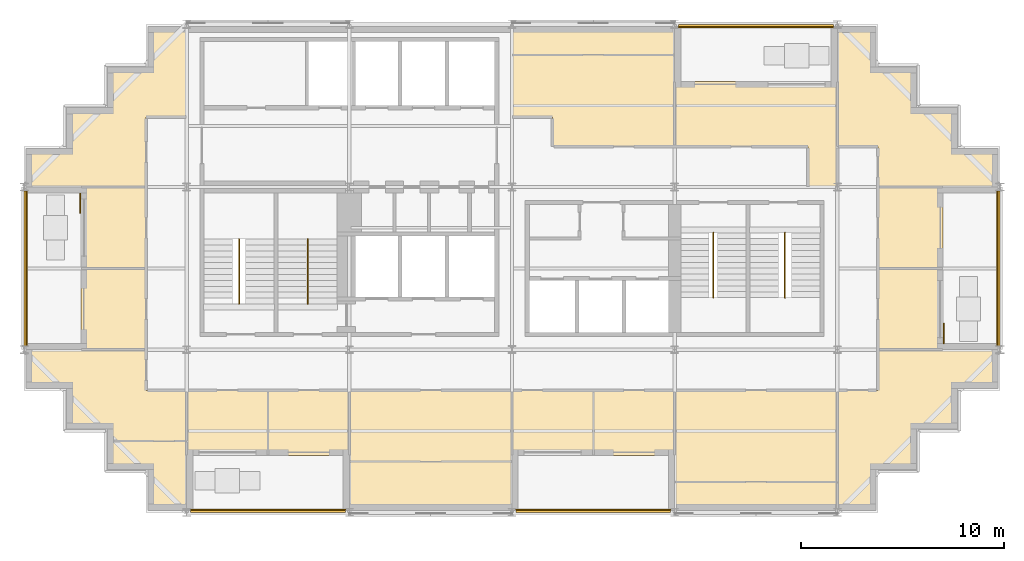
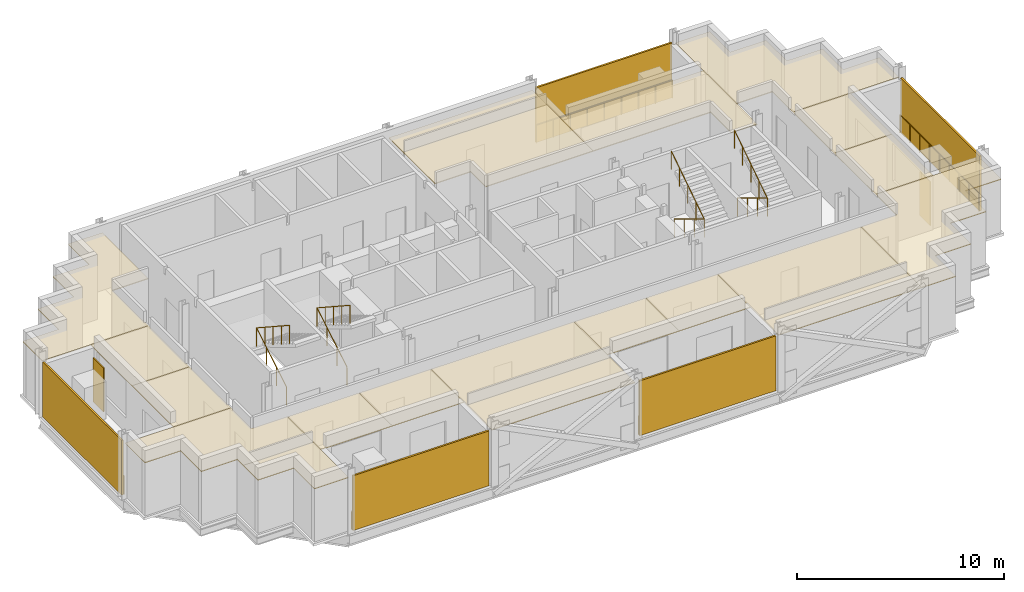
# One storey, part 9 of 10: 20 coverings, 9 railings, 7 shading devices.
"""IFC4 building model written with IfcOpenShell, lengths in metres."""

import ifcopenshell
import ifcopenshell.guid

model = None  # the IFC model being written
_history = None  # IfcOwnerHistory: only IFC2X3 demands one
_inside = {}  # id of a spatial element -> (the spatial element, [elements in it])
_under = {}  # id of a project, library or spatial element -> (it, [spatial elements below it])
_declared = {}  # id of a project -> (the project, [libraries it declares])
_typed = {}  # id of a type object -> (the type object, [elements of that type])
_made_of = {}  # id of a material, layer set ... -> (it, [elements and type objects made of it])


def new_model(schema):
    """Start an empty IFC model of exactly this schema.

    Asked for "IFC4X3", IfcOpenShell would pick the latest addendum, in which some entities
    have other attributes; the version numbers below select the first issue.
    IFC2X3 requires an IfcOwnerHistory on every rooted entity: one is made here for all.
    """
    global model, _history
    if schema == "IFC4X3":
        model = ifcopenshell.file(schema_version=(4, 3, 0, 0))
    else:
        model = ifcopenshell.file(schema=schema)
    _inside.clear()
    _under.clear()
    _declared.clear()
    _typed.clear()
    _made_of.clear()
    _history = None
    if model.schema == "IFC2X3":
        org = make("IfcOrganization", Name="unknown")
        user = make(
            "IfcPersonAndOrganization",
            ThePerson=make("IfcPerson", FamilyName="unknown"),
            TheOrganization=org,
        )
        app = make(
            "IfcApplication",
            ApplicationDeveloper=org,
            Version="unknown",
            ApplicationFullName="unknown",
            ApplicationIdentifier="unknown",
        )
        _history = make(
            "IfcOwnerHistory",
            OwningUser=user,
            OwningApplication=app,
            ChangeAction="ADDED",
            CreationDate=0,
        )
    return model


def make(cls, **values):
    """One entity of the class cls with the attributes given. An attribute that is None is left unset."""
    return model.create_entity(
        cls, **{name: value for name, value in values.items() if value is not None}
    )


def rooted(cls, **values):
    """An entity with a GlobalId (a new one), such as an element, a storey or a relation."""
    return make(cls, GlobalId=ifcopenshell.guid.new(), OwnerHistory=_history, **values)


def si_unit(unit_type, name, prefix=None):
    """IfcSIUnit, for example si_unit("LENGTHUNIT", "METRE", prefix="MILLI")."""
    return make("IfcSIUnit", UnitType=unit_type, Prefix=prefix, Name=name)


def assignment(units):
    """IfcUnitAssignment: the units of a project."""
    return None if units is None else make("IfcUnitAssignment", Units=units)


def point(xyz):
    """IfcCartesianPoint."""
    return None if xyz is None else make("IfcCartesianPoint", Coordinates=xyz)


def direction(xyz):
    """IfcDirection."""
    return None if xyz is None else make("IfcDirection", DirectionRatios=xyz)


def frame(location, z_axis=None, x_axis=None):
    """IfcAxis2Placement3D, a coordinate frame: its origin and axes. An axis left out is left unset."""
    return make(
        "IfcAxis2Placement3D",
        Location=point(location),
        Axis=direction(z_axis),
        RefDirection=direction(x_axis),
    )


def frame_2d(location, x_axis=None):
    """IfcAxis2Placement2D, a coordinate frame in the plane: its origin and x axis."""
    return make(
        "IfcAxis2Placement2D", Location=point(location), RefDirection=direction(x_axis)
    )


def origin():
    """The frame at (0, 0, 0) with its axes left unset."""
    return frame((0.0, 0.0, 0.0))


def origin_2d():
    """The frame at (0, 0) in the plane with its x axis left unset."""
    return frame_2d((0.0, 0.0))


def place(relative_to, where):
    """IfcLocalPlacement: puts the frame where relative to a parent placement (None: the world)."""
    return make(
        "IfcLocalPlacement", PlacementRelTo=relative_to, RelativePlacement=where
    )


def context(
    kind, dimensions, precision=None, world=None, true_north=None, identifier=None
):
    """IfcGeometricRepresentationContext, for example the 3D "Model" context."""
    return make(
        "IfcGeometricRepresentationContext",
        ContextIdentifier=identifier,
        ContextType=kind,
        CoordinateSpaceDimension=dimensions,
        Precision=precision,
        WorldCoordinateSystem=world,
        TrueNorth=true_north,
    )


def subcontext(parent, identifier, kind, view, scale=None):
    """IfcGeometricRepresentationSubContext, for example "Body" below "Model"."""
    return make(
        "IfcGeometricRepresentationSubContext",
        ContextIdentifier=identifier,
        ContextType=kind,
        ParentContext=parent,
        TargetScale=scale,
        TargetView=view,
    )


def project(units=None, contexts=None):
    """IfcProject with its units and contexts."""
    return rooted(
        "IfcProject",
        Name="project",
        RepresentationContexts=contexts,
        UnitsInContext=assignment(units),
    )


def spatial(cls, under=None, at=None, **own):
    """A site, building, storey or space (cls), placed at a placement, below another one or the project."""
    s = rooted(cls, ObjectPlacement=at, **own)
    if under is not None:
        _under.setdefault(under.id(), (under, []))[1].append(s)
    return s


def polyline(points):
    """IfcPolyline through the points."""
    return make("IfcPolyline", Points=[point(p) for p in points])


def profile(cls, at=None, kind="AREA", **sizes):
    """A parametric profile (cls). Its sizes go by their IFC names, for example OverallWidth=200.0."""
    return make(cls, ProfileType=kind, Position=at, **sizes)


def rectangle(**sizes):
    """IfcRectangleProfileDef."""
    return profile("IfcRectangleProfileDef", **sizes)


def circle(**sizes):
    """IfcCircleProfileDef."""
    return profile("IfcCircleProfileDef", **sizes)


def outline(outer, holes=None, kind="AREA"):
    """IfcArbitraryClosedProfileDef: a profile drawn as a closed curve; with holes, ...WithVoids."""
    if holes is None:
        return make("IfcArbitraryClosedProfileDef", ProfileType=kind, OuterCurve=outer)
    return make(
        "IfcArbitraryProfileDefWithVoids",
        ProfileType=kind,
        OuterCurve=outer,
        InnerCurves=holes,
    )


def extrude(swept, where, along, depth):
    """IfcExtrudedAreaSolid: the profile swept, set in the frame where, extruded along a direction by depth."""
    return make(
        "IfcExtrudedAreaSolid",
        SweptArea=swept,
        Position=where,
        ExtrudedDirection=direction(along),
        Depth=depth,
    )


def shape(context_of_items, identifier, shape_type, items):
    """IfcShapeRepresentation: the items that make up one representation, for example the "Body"."""
    return make(
        "IfcShapeRepresentation",
        ContextOfItems=context_of_items,
        RepresentationIdentifier=identifier,
        RepresentationType=shape_type,
        Items=items,
    )


def material(Name=None, Category=None):
    """IfcMaterial."""
    return make("IfcMaterial", Name=Name, Category=Category)


def layer(
    of_material, thickness, ventilated=None, Name=None, Category=None, Priority=None
):
    """IfcMaterialLayer: one layer of a wall or slab, of a material (None: an air gap)."""
    return make(
        "IfcMaterialLayer",
        Material=of_material,
        LayerThickness=thickness,
        IsVentilated=ventilated,
        Name=Name,
        Category=Category,
        Priority=Priority,
    )


def layer_set(layers, Name=None):
    """IfcMaterialLayerSet."""
    return make("IfcMaterialLayerSet", MaterialLayers=layers, LayerSetName=Name)


def made_of(thing, what):
    """Note that an element or type object is made of a material, layer set ...; save() writes the relation."""
    if what is not None:
        _made_of.setdefault(what.id(), (what, []))[1].append(thing)
    return thing


def type_object(cls, material=None, **own):
    """A type object (cls), such as IfcWallType, which elements share."""
    return made_of(rooted(cls, **own), material)


def element(
    cls,
    number,
    at=None,
    inside=None,
    cuts=None,
    type_object=None,
    material=None,
    context=None,
    identifier="Body",
    shape_type=None,
    held_by="IfcProductDefinitionShape",
    body=None,
    shapes=None,
    **own,
):
    """One element of the class cls, such as IfcWall. Its Tag is "e" and its number.

    at: its placement. inside: the storey or other place that contains it. cuts: it is an
    opening in that element (IfcRelVoidsElement). A single representation is given by context,
    identifier, shape_type and body (its items); several are given by shapes. held_by: the class
    of the entity that holds the representations. save() writes the other relations.
    """
    e = rooted(cls, Tag="e%d" % number, ObjectPlacement=at, **own)
    if body is not None:
        shapes = [shape(context, identifier, shape_type, body)]
    if shapes is not None:
        e.Representation = make(held_by, Representations=shapes)
    if inside is not None:
        _inside.setdefault(inside.id(), (inside, []))[1].append(e)
    if cuts is not None:
        rooted(
            "IfcRelVoidsElement", RelatingBuildingElement=cuts, RelatedOpeningElement=e
        )
    if type_object is not None:
        _typed.setdefault(type_object.id(), (type_object, []))[1].append(e)
    return made_of(e, material)


def aggregate(whole, parts):
    """IfcRelAggregates: a whole, such as a stair, and the parts it consists of."""
    return rooted("IfcRelAggregates", RelatingObject=whole, RelatedObjects=parts)


def save(model, path):
    """Write the relations noted so far, then the file.

    IfcRelAggregates (storeys below a building ...), IfcRelContainedInSpatialStructure (elements
    in a storey), IfcRelDefinesByType, IfcRelAssociatesMaterial and IfcRelDeclares: one each for
    every whole, place, type object, material and project.
    """
    for whole, parts in _under.values():
        aggregate(whole, parts)
    for where, things in _inside.values():
        rooted(
            "IfcRelContainedInSpatialStructure",
            RelatedElements=things,
            RelatingStructure=where,
        )
    for kind, things in _typed.values():
        rooted("IfcRelDefinesByType", RelatedObjects=things, RelatingType=kind)
    for what, things in _made_of.values():
        rooted("IfcRelAssociatesMaterial", RelatedObjects=things, RelatingMaterial=what)
    for by, libraries in _declared.values():
        rooted("IfcRelDeclares", RelatingContext=by, RelatedDefinitions=libraries)
    model.write(path)


model = new_model("IFC4")

# Units and contexts
model_context = context("Model", 3, precision=1e-05, world=origin(), true_north=direction((0.0, 1.0)))
body_context = subcontext(model_context, "Body", "Model", "MODEL_VIEW")
ifc_project = project(units=[si_unit("LENGTHUNIT", "METRE"), si_unit("AREAUNIT", "SQUARE_METRE"), si_unit("VOLUMEUNIT", "CUBIC_METRE"), si_unit("PLANEANGLEUNIT", "RADIAN"), si_unit("MASSUNIT", "GRAM", prefix="KILO")], contexts=[model_context])

# Site, building, storey
site_placement = place(None, origin())
site = spatial("IfcSite", under=ifc_project, at=site_placement, CompositionType="ELEMENT")
building_placement = place(site_placement, origin())
building = spatial("IfcBuilding", under=site, at=building_placement, Name="Immortelle Media Tower", CompositionType="ELEMENT")
storey_placement = place(building_placement, frame((0.0, 0.0, 251.0)))
storey = spatial("IfcBuildingStorey", under=building, at=storey_placement, Name="L54", CompositionType="ELEMENT", Elevation=251.0)

# Railings
ifc_material_1 = material(Name="Powder-coated aluminium fretwork panel, laminated glass backing", Category="aluminium")
railing_type_1 = type_object("IfcRailingType", Name="Fretwork balustrade 1100", PredefinedType="BALUSTRADE", material=ifc_material_1)
railing_1_placement = place(storey_placement, frame((8.197021484375, 0.139892578125, 0.0)))
element("IfcRailing", 1, at=railing_1_placement, inside=storey, type_object=railing_type_1, Name="Fretwork balustrade L54 S0", PredefinedType="BALUSTRADE", context=body_context, shape_type="SweptSolid", body=[
    extrude(circle(Radius=0.02490234375, at=origin_2d()), frame((0.0, 0.0, 1.0751953125), z_axis=(1.0, 0.0, 0.0), x_axis=(0.0, 1.0, 0.0)), (0.0, 0.0, 1.0), 7.6025390625),
    extrude(circle(Radius=0.02001953125, at=origin_2d()), origin(), (0.0, 0.0, 1.0), 1.050048828125),
    extrude(circle(Radius=0.02001953125, at=origin_2d()), frame((0.9501953125, 0.0, 0.0)), (0.0, 0.0, 1.0), 1.050048828125),
    extrude(circle(Radius=0.02001953125, at=origin_2d()), frame((1.900634765625, 0.0, 0.0)), (0.0, 0.0, 1.0), 1.050048828125),
    extrude(circle(Radius=0.02001953125, at=origin_2d()), frame((2.85107421875, 0.0, 0.0)), (0.0, 0.0, 1.0), 1.050048828125),
    extrude(circle(Radius=0.02001953125, at=origin_2d()), frame((3.80126953125, 0.0, 0.0)), (0.0, 0.0, 1.0), 1.050048828125),
    extrude(circle(Radius=0.02001953125, at=origin_2d()), frame((4.75146484375, 0.0, 0.0)), (0.0, 0.0, 1.0), 1.050048828125),
    extrude(circle(Radius=0.02001953125, at=origin_2d()), frame((5.701904296875, 0.0, 0.0)), (0.0, 0.0, 1.0), 1.050048828125),
    extrude(circle(Radius=0.02001953125, at=origin_2d()), frame((6.65234375, 0.0, 0.0)), (0.0, 0.0, 1.0), 1.050048828125),
    extrude(circle(Radius=0.02001953125, at=origin_2d()), frame((7.6025390625, 0.0, 0.0)), (0.0, 0.0, 1.0), 1.050048828125),
])
railing_2_placement = place(storey_placement, frame((24.200439453125, 0.139892578125, 0.0)))
element("IfcRailing", 2, at=railing_2_placement, inside=storey, type_object=railing_type_1, Name="Fretwork balustrade L54 S2", PredefinedType="BALUSTRADE", context=body_context, shape_type="SweptSolid", body=[
    extrude(circle(Radius=0.02490234375, at=origin_2d()), frame((0.0, 0.0, 1.0751953125), z_axis=(1.0, 0.0, 0.0), x_axis=(0.0, 1.0, 0.0)), (0.0, 0.0, 1.0), 7.59912109375),
    extrude(circle(Radius=0.02001953125, at=origin_2d()), origin(), (0.0, 0.0, 1.0), 1.050048828125),
    extrude(circle(Radius=0.02001953125, at=origin_2d()), frame((0.949951171875, 0.0, 0.0)), (0.0, 0.0, 1.0), 1.050048828125),
    extrude(circle(Radius=0.02001953125, at=origin_2d()), frame((1.89990234375, 0.0, 0.0)), (0.0, 0.0, 1.0), 1.050048828125),
    extrude(circle(Radius=0.02001953125, at=origin_2d()), frame((2.849609375, 0.0, 0.0)), (0.0, 0.0, 1.0), 1.050048828125),
    extrude(circle(Radius=0.02001953125, at=origin_2d()), frame((3.799560546875, 0.0, 0.0)), (0.0, 0.0, 1.0), 1.050048828125),
    extrude(circle(Radius=0.02001953125, at=origin_2d()), frame((4.74951171875, 0.0, 0.0)), (0.0, 0.0, 1.0), 1.050048828125),
    extrude(circle(Radius=0.02001953125, at=origin_2d()), frame((5.69921875, 0.0, 0.0)), (0.0, 0.0, 1.0), 1.050048828125),
    extrude(circle(Radius=0.02001953125, at=origin_2d()), frame((6.649169921875, 0.0, 0.0)), (0.0, 0.0, 1.0), 1.050048828125),
    extrude(circle(Radius=0.02001953125, at=origin_2d()), frame((7.59912109375, 0.0, 0.0)), (0.0, 0.0, 1.0), 1.050048828125),
])
railing_3_placement = place(storey_placement, frame((47.860107421875, 8.18798828125, 0.0)))
element("IfcRailing", 3, at=railing_3_placement, inside=storey, type_object=railing_type_1, Name="Fretwork balustrade L54 E0", PredefinedType="BALUSTRADE", context=body_context, shape_type="SweptSolid", body=[
    extrude(circle(Radius=0.02490234375, at=origin_2d()), frame((0.0, 0.0, 1.0751953125), z_axis=(0.0, 1.0, 0.0), x_axis=(-1.0, 0.0, 0.0)), (0.0, 0.0, 1.0), 7.6240234375),
    extrude(circle(Radius=0.02001953125, at=origin_2d()), origin(), (0.0, 0.0, 1.0), 1.050048828125),
    extrude(circle(Radius=0.02001953125, at=origin_2d()), frame((0.0, 0.953125, 0.0)), (0.0, 0.0, 1.0), 1.050048828125),
    extrude(circle(Radius=0.02001953125, at=origin_2d()), frame((0.0, 1.906005859375, 0.0)), (0.0, 0.0, 1.0), 1.050048828125),
    extrude(circle(Radius=0.02001953125, at=origin_2d()), frame((0.0, 2.85888671875, 0.0)), (0.0, 0.0, 1.0), 1.050048828125),
    extrude(circle(Radius=0.02001953125, at=origin_2d()), frame((0.0, 3.81201171875, 0.0)), (0.0, 0.0, 1.0), 1.050048828125),
    extrude(circle(Radius=0.02001953125, at=origin_2d()), frame((0.0, 4.76513671875, 0.0)), (0.0, 0.0, 1.0), 1.050048828125),
    extrude(circle(Radius=0.02001953125, at=origin_2d()), frame((0.0, 5.718017578125, 0.0)), (0.0, 0.0, 1.0), 1.050048828125),
    extrude(circle(Radius=0.02001953125, at=origin_2d()), frame((0.0, 6.6708984375, 0.0)), (0.0, 0.0, 1.0), 1.050048828125),
    extrude(circle(Radius=0.02001953125, at=origin_2d()), frame((0.0, 7.6240234375, 0.0)), (0.0, 0.0, 1.0), 1.050048828125),
])
railing_4_placement = place(storey_placement, frame((39.802978515625, 23.860107421875, 0.0)))
element("IfcRailing", 4, at=railing_4_placement, inside=storey, type_object=railing_type_1, Name="Fretwork balustrade L54 N0", PredefinedType="BALUSTRADE", context=body_context, shape_type="SweptSolid", body=[
    extrude(circle(Radius=0.02490234375, at=origin_2d()), frame((0.0, 0.0, 1.0751953125), z_axis=(-1.0, 0.0, 0.0), x_axis=(0.0, -1.0, 0.0)), (0.0, 0.0, 1.0), 7.6025390625),
    extrude(circle(Radius=0.02001953125, at=origin_2d()), origin(), (0.0, 0.0, 1.0), 1.050048828125),
    extrude(circle(Radius=0.02001953125, at=origin_2d()), frame((-0.9501953125, 0.0, 0.0)), (0.0, 0.0, 1.0), 1.050048828125),
    extrude(circle(Radius=0.02001953125, at=origin_2d()), frame((-1.900634765625, 0.0, 0.0)), (0.0, 0.0, 1.0), 1.050048828125),
    extrude(circle(Radius=0.02001953125, at=origin_2d()), frame((-2.85107421875, 0.0, 0.0)), (0.0, 0.0, 1.0), 1.050048828125),
    extrude(circle(Radius=0.02001953125, at=origin_2d()), frame((-3.80126953125, 0.0, 0.0)), (0.0, 0.0, 1.0), 1.050048828125),
    extrude(circle(Radius=0.02001953125, at=origin_2d()), frame((-4.75146484375, 0.0, 0.0)), (0.0, 0.0, 1.0), 1.050048828125),
    extrude(circle(Radius=0.02001953125, at=origin_2d()), frame((-5.701904296875, 0.0, 0.0)), (0.0, 0.0, 1.0), 1.050048828125),
    extrude(circle(Radius=0.02001953125, at=origin_2d()), frame((-6.65234375, 0.0, 0.0)), (0.0, 0.0, 1.0), 1.050048828125),
    extrude(circle(Radius=0.02001953125, at=origin_2d()), frame((-7.6025390625, 0.0, 0.0)), (0.0, 0.0, 1.0), 1.050048828125),
])
railing_5_placement = place(storey_placement, frame((0.139892578125, 15.81201171875, 0.0)))
element("IfcRailing", 5, at=railing_5_placement, inside=storey, type_object=railing_type_1, Name="Fretwork balustrade L54 W0", PredefinedType="BALUSTRADE", context=body_context, shape_type="SweptSolid", body=[
    extrude(circle(Radius=0.02490234375, at=origin_2d()), frame((0.0, 0.0, 1.0751953125), z_axis=(0.0, -1.0, 0.0), x_axis=(1.0, 0.0, 0.0)), (0.0, 0.0, 1.0), 7.6240234375),
    extrude(circle(Radius=0.02001953125, at=origin_2d()), origin(), (0.0, 0.0, 1.0), 1.050048828125),
    extrude(circle(Radius=0.02001953125, at=origin_2d()), frame((0.0, -0.953125, 0.0)), (0.0, 0.0, 1.0), 1.050048828125),
    extrude(circle(Radius=0.02001953125, at=origin_2d()), frame((0.0, -1.906005859375, 0.0)), (0.0, 0.0, 1.0), 1.050048828125),
    extrude(circle(Radius=0.02001953125, at=origin_2d()), frame((0.0, -2.85888671875, 0.0)), (0.0, 0.0, 1.0), 1.050048828125),
    extrude(circle(Radius=0.02001953125, at=origin_2d()), frame((0.0, -3.81201171875, 0.0)), (0.0, 0.0, 1.0), 1.050048828125),
    extrude(circle(Radius=0.02001953125, at=origin_2d()), frame((0.0, -4.76513671875, 0.0)), (0.0, 0.0, 1.0), 1.050048828125),
    extrude(circle(Radius=0.02001953125, at=origin_2d()), frame((0.0, -5.718017578125, 0.0)), (0.0, 0.0, 1.0), 1.050048828125),
    extrude(circle(Radius=0.02001953125, at=origin_2d()), frame((0.0, -6.6708984375, 0.0)), (0.0, 0.0, 1.0), 1.050048828125),
    extrude(circle(Radius=0.02001953125, at=origin_2d()), frame((0.0, -7.6240234375, 0.0)), (0.0, 0.0, 1.0), 1.050048828125),
])

# Shading devices
ifc_material_2 = material(Name="Pale aluminium louvre blades", Category="aluminium")
ifc_layer_1 = layer(ifc_material_2, 0.10009765625)
ifc_layer_set_1 = layer_set([ifc_layer_1], Name="Pale aluminium louvre blades")
shading_device_type_1 = type_object("IfcShadingDeviceType", Name="Jalousie screen 100", PredefinedType="JALOUSIE", material=ifc_layer_set_1)
shading_device_1_placement = place(storey_placement, frame((11.998291015625, 0.050048828125, 0.0), z_axis=(0.0, 0.0, 1.0), x_axis=(1.0, 0.0, 0.0)))
element("IfcShadingDevice", 6, at=shading_device_1_placement, inside=storey, type_object=shading_device_type_1, Name="Jalousie screen L54 S0", PredefinedType="JALOUSIE", context=body_context, shape_type="SweptSolid", body=[
    extrude(rectangle(XDim=7.6025390625, YDim=0.10009765625, at=origin_2d()), origin(), (0.0, 0.0, 1.0), 3.238037109375),
])
shading_device_2_placement = place(storey_placement, frame((28.0, 0.050048828125, 0.0), z_axis=(0.0, 0.0, 1.0), x_axis=(1.0, 0.0, 0.0)))
element("IfcShadingDevice", 7, at=shading_device_2_placement, inside=storey, type_object=shading_device_type_1, Name="Jalousie screen L54 S2", PredefinedType="JALOUSIE", context=body_context, shape_type="SweptSolid", body=[
    extrude(rectangle(XDim=7.59912109375, YDim=0.10009765625, at=origin_2d()), origin(), (0.0, 0.0, 1.0), 3.238037109375),
])
shading_device_3_placement = place(storey_placement, frame((47.949951171875, 12.0, 0.0), z_axis=(0.0, 0.0, 1.0), x_axis=(0.0, 1.0, 0.0)))
element("IfcShadingDevice", 8, at=shading_device_3_placement, inside=storey, type_object=shading_device_type_1, Name="Jalousie screen L54 E0", PredefinedType="JALOUSIE", context=body_context, shape_type="SweptSolid", body=[
    extrude(rectangle(XDim=7.6240234375, YDim=0.10009765625, at=origin_2d()), origin(), (0.0, 0.0, 1.0), 3.238037109375),
])
shading_device_4_placement = place(storey_placement, frame((36.001708984375, 23.949951171875, 0.0), z_axis=(0.0, 0.0, 1.0), x_axis=(-1.0, 0.0, 0.0)))
element("IfcShadingDevice", 9, at=shading_device_4_placement, inside=storey, type_object=shading_device_type_1, Name="Jalousie screen L54 N0", PredefinedType="JALOUSIE", context=body_context, shape_type="SweptSolid", body=[
    extrude(rectangle(XDim=7.6025390625, YDim=0.10009765625, at=origin_2d()), origin(), (0.0, 0.0, 1.0), 3.238037109375),
])
shading_device_5_placement = place(storey_placement, frame((0.050048828125, 12.0, 0.0), z_axis=(0.0, 0.0, 1.0), x_axis=(0.0, -1.0, 0.0)))
element("IfcShadingDevice", 10, at=shading_device_5_placement, inside=storey, type_object=shading_device_type_1, Name="Jalousie screen L54 W0", PredefinedType="JALOUSIE", context=body_context, shape_type="SweptSolid", body=[
    extrude(rectangle(XDim=7.6240234375, YDim=0.10009765625, at=origin_2d()), origin(), (0.0, 0.0, 1.0), 3.238037109375),
])
ifc_material_3 = material(Name="Pale aluminium louvre blades in a folding frame", Category="aluminium")
ifc_layer_2 = layer(ifc_material_3, 0.050048828125)
ifc_layer_set_2 = layer_set([ifc_layer_2], Name="Pale aluminium louvre blades in a folding frame")
shading_device_type_2 = type_object("IfcShadingDeviceType", Name="Louvred loggia shutter", PredefinedType="SHUTTER", material=ifc_layer_set_2)
for number, where, z_axis, x_axis, name in (
    (11, (45.22509765625, 8.800048828125, 0.0), (0.0, 0.0, 1.0), (0.0, 1.0, 0.0), "Loggia shutter L54 E0"),
    (12, (2.77490234375, 15.199951171875, 0.0), (0.0, 0.0, 1.0), (0.0, -1.0, 0.0), "Loggia shutter L54 W0"),
):
    element("IfcShadingDevice", number, at=place(storey_placement, frame(where, z_axis=z_axis, x_axis=x_axis)), inside=storey, type_object=shading_device_type_2, Name=name, PredefinedType="SHUTTER", context=body_context, shape_type="SweptSolid", body=[
        extrude(rectangle(XDim=1.0, YDim=0.050048828125, at=origin_2d()), origin(), (0.0, 0.0, 1.0), 2.60009765625),
    ])

# Railings
ifc_material_4 = material(Name="Stainless steel AISI 316", Category="steel")
railing_type_2 = type_object("IfcRailingType", Name="Stair guard 1100", PredefinedType="GUARDRAIL", material=ifc_material_4)
for number, where, name in (
    (13, (10.574951171875, 10.5400390625, 0.173828125), "Stair guard SW1"),
    (14, (13.949951171875, 10.5400390625, 0.173828125), "Stair guard SW2"),
):
    element("IfcRailing", number, at=place(storey_placement, frame(where)), inside=storey, type_object=railing_type_2, Name=name, PredefinedType="GUARDRAIL", context=body_context, shape_type="SweptSolid", body=[
        extrude(circle(Radius=0.02392578125, at=origin_2d()), frame((0.0, 0.0, 1.076171875), z_axis=(0.0, 0.857582100076, 0.514347102285), x_axis=(-1.0, 0.0, 0.0)), (0.0, 0.0, 1.0), 3.381591796875),
        extrude(circle(Radius=0.02392578125, at=origin_2d()), frame((0.0, 2.89990234375, 2.8154296875), z_axis=(0.0, -0.836827423118, 0.547466769693), x_axis=(1.0, 0.0, 0.0)), (0.0, 0.0, 1.0), 3.81201171875),
        extrude(circle(Radius=0.02099609375, at=origin_2d()), origin(), (0.0, 0.0, 1.0), 1.052001953125),
        extrude(circle(Radius=0.02099609375, at=origin_2d()), frame((0.0, 0.966552734375, 0.579833984375)), (0.0, 0.0, 1.0), 1.052001953125),
        extrude(circle(Radius=0.02099609375, at=origin_2d()), frame((0.0, 1.933349609375, 1.159423828125)), (0.0, 0.0, 1.0), 1.052001953125),
        extrude(circle(Radius=0.02099609375, at=origin_2d()), frame((0.0, 2.89990234375, 1.7392578125)), (0.0, 0.0, 1.0), 1.052001953125),
        extrude(circle(Radius=0.02099609375, at=origin_2d()), frame((0.0, 2.1025390625, 2.260986328125)), (0.0, 0.0, 1.0), 1.052001953125),
        extrude(circle(Radius=0.02099609375, at=origin_2d()), frame((0.0, 1.304931640625, 2.78271484375)), (0.0, 0.0, 1.0), 1.052001953125),
        extrude(circle(Radius=0.02099609375, at=origin_2d()), frame((0.0, 0.50732421875, 3.304443359375)), (0.0, 0.0, 1.0), 1.052001953125),
        extrude(circle(Radius=0.02099609375, at=origin_2d()), frame((0.0, -0.2900390625, 3.826171875)), (0.0, 0.0, 1.0), 1.052001953125),
    ])
for number, where, name in (
    (15, (33.89990234375, 13.4599609375, 0.173828125), "Stair guard SE1"),
    (16, (37.425048828125, 13.4599609375, 0.173828125), "Stair guard SE2"),
):
    element("IfcRailing", number, at=place(storey_placement, frame(where)), inside=storey, type_object=railing_type_2, Name=name, PredefinedType="GUARDRAIL", context=body_context, shape_type="SweptSolid", body=[
        extrude(circle(Radius=0.02392578125, at=origin_2d()), frame((0.0, 0.0, 1.076171875), z_axis=(0.0, -0.857582100076, 0.514347102285), x_axis=(1.0, 0.0, 0.0)), (0.0, 0.0, 1.0), 3.381591796875),
        extrude(circle(Radius=0.02392578125, at=origin_2d()), frame((0.0, -2.89990234375, 2.8154296875), z_axis=(0.0, 0.836827423118, 0.547466769693), x_axis=(-1.0, 0.0, 0.0)), (0.0, 0.0, 1.0), 3.81201171875),
        extrude(circle(Radius=0.02099609375, at=origin_2d()), origin(), (0.0, 0.0, 1.0), 1.052001953125),
        extrude(circle(Radius=0.02099609375, at=origin_2d()), frame((0.0, -0.966552734375, 0.579833984375)), (0.0, 0.0, 1.0), 1.052001953125),
        extrude(circle(Radius=0.02099609375, at=origin_2d()), frame((0.0, -1.933349609375, 1.159423828125)), (0.0, 0.0, 1.0), 1.052001953125),
        extrude(circle(Radius=0.02099609375, at=origin_2d()), frame((0.0, -2.89990234375, 1.7392578125)), (0.0, 0.0, 1.0), 1.052001953125),
        extrude(circle(Radius=0.02099609375, at=origin_2d()), frame((0.0, -2.1025390625, 2.260986328125)), (0.0, 0.0, 1.0), 1.052001953125),
        extrude(circle(Radius=0.02099609375, at=origin_2d()), frame((0.0, -1.304931640625, 2.78271484375)), (0.0, 0.0, 1.0), 1.052001953125),
        extrude(circle(Radius=0.02099609375, at=origin_2d()), frame((0.0, -0.50732421875, 3.304443359375)), (0.0, 0.0, 1.0), 1.052001953125),
        extrude(circle(Radius=0.02099609375, at=origin_2d()), frame((0.0, 0.2900390625, 3.826171875)), (0.0, 0.0, 1.0), 1.052001953125),
    ])

# Coverings
ifc_material_5 = material(Name="Mineral fibre tile ceiling")
ifc_layer_3 = layer(ifc_material_5, 0.050048828125)
ifc_layer_set_3 = layer_set([ifc_layer_3], Name="Mineral fibre tile ceiling")
covering_type = type_object("IfcCoveringType", Name="Suspended ceiling 50", PredefinedType="CEILING", material=ifc_layer_set_3)
covering_1_placement = place(storey_placement, frame((0.0, 0.0, 3.1220703125)))
element("IfcCovering", 17, at=covering_1_placement, inside=storey, type_object=covering_type, Name="Ceiling L54-001", PredefinedType="CEILING", context=body_context, shape_type="SweptSolid", body=[
    extrude(outline(polyline([(16.0, 2.800048828125), (16.0, 6.0), (24.0, 6.0), (24.0, 2.800048828125), (24.0, 2.5), (16.0, 2.5), (16.0, 2.800048828125)])), origin(), (0.0, 0.0, 1.0), 0.050048828125),
])
covering_2_placement = place(storey_placement, frame((0.0, 0.0, 3.1220703125)))
element("IfcCovering", 18, at=covering_2_placement, inside=storey, type_object=covering_type, Name="Ceiling L54-002", PredefinedType="CEILING", context=body_context, shape_type="SweptSolid", body=[
    extrude(outline(polyline([(16.0, 2.5), (24.0, 2.5), (24.0, 0.10009765625), (16.0, 0.10009765625), (16.0, 2.5)])), origin(), (0.0, 0.0, 1.0), 0.050048828125),
])
covering_3_placement = place(storey_placement, frame((0.0, 0.0, 3.1220703125)))
element("IfcCovering", 19, at=covering_3_placement, inside=storey, type_object=covering_type, Name="Ceiling L54-003", PredefinedType="CEILING", context=body_context, shape_type="SweptSolid", body=[
    extrude(outline(polyline([(32.0, 2.800048828125), (32.0, 6.0), (40.0, 6.0), (40.0, 1.5), (32.0, 1.5), (32.0, 2.800048828125)])), origin(), (0.0, 0.0, 1.0), 0.050048828125),
])
covering_4_placement = place(storey_placement, frame((0.0, 0.0, 3.1220703125)))
element("IfcCovering", 20, at=covering_4_placement, inside=storey, type_object=covering_type, Name="Ceiling L54-004", PredefinedType="CEILING", context=body_context, shape_type="SweptSolid", body=[
    extrude(outline(polyline([(32.0, 1.5), (40.0, 1.5), (40.0, 0.10009765625), (32.0, 0.10009765625), (32.0, 1.5)])), origin(), (0.0, 0.0, 1.0), 0.050048828125),
])
covering_5_placement = place(storey_placement, frame((0.0, 0.0, 3.1220703125)))
element("IfcCovering", 21, at=covering_5_placement, inside=storey, type_object=covering_type, Name="Ceiling L54-005", PredefinedType="CEILING", context=body_context, shape_type="SweptSolid", body=[
    extrude(outline(polyline([(8.0, 6.0), (12.0, 6.0), (12.0, 2.800048828125), (8.0, 2.800048828125), (8.0, 6.0)])), origin(), (0.0, 0.0, 1.0), 0.050048828125),
])
covering_6_placement = place(storey_placement, frame((0.0, 0.0, 3.1220703125)))
element("IfcCovering", 22, at=covering_6_placement, inside=storey, type_object=covering_type, Name="Ceiling L54-006", PredefinedType="CEILING", context=body_context, shape_type="SweptSolid", body=[
    extrude(outline(polyline([(16.0, 6.0), (16.0, 2.800048828125), (12.0, 2.800048828125), (12.0, 6.0), (16.0, 6.0)])), origin(), (0.0, 0.0, 1.0), 0.050048828125),
])
covering_7_placement = place(storey_placement, frame((0.0, 0.0, 3.1220703125)))
element("IfcCovering", 23, at=covering_7_placement, inside=storey, type_object=covering_type, Name="Ceiling L54-007", PredefinedType="CEILING", context=body_context, shape_type="SweptSolid", body=[
    extrude(outline(polyline([(24.0, 6.0), (26.0, 6.0), (28.0, 6.0), (28.0, 2.800048828125), (24.0, 2.800048828125), (24.0, 6.0)])), origin(), (0.0, 0.0, 1.0), 0.050048828125),
])
covering_8_placement = place(storey_placement, frame((0.0, 0.0, 3.1220703125)))
element("IfcCovering", 24, at=covering_8_placement, inside=storey, type_object=covering_type, Name="Ceiling L54-008", PredefinedType="CEILING", context=body_context, shape_type="SweptSolid", body=[
    extrude(outline(polyline([(32.0, 6.0), (32.0, 2.800048828125), (28.0, 2.800048828125), (28.0, 6.0), (32.0, 6.0)])), origin(), (0.0, 0.0, 1.0), 0.050048828125),
])
covering_9_placement = place(storey_placement, frame((0.0, 0.0, 3.1220703125)))
element("IfcCovering", 25, at=covering_9_placement, inside=storey, type_object=covering_type, Name="Ceiling L54-009", PredefinedType="CEILING", context=body_context, shape_type="SweptSolid", body=[
    extrude(outline(polyline([(4.10009765625, 4.10009765625), (4.0, 4.10009765625), (2.10009765625, 4.10009765625), (2.10009765625, 6.10009765625), (0.10009765625, 6.10009765625), (0.10009765625, 8.0), (2.800048828125, 8.0), (4.0, 8.0), (6.0, 8.0), (6.0, 6.0), (8.0, 6.0), (8.0, 3.5), (4.10009765625, 3.5), (4.10009765625, 4.10009765625)])), origin(), (0.0, 0.0, 1.0), 0.050048828125),
])
covering_10_placement = place(storey_placement, frame((0.0, 0.0, 3.1220703125)))
element("IfcCovering", 26, at=covering_10_placement, inside=storey, type_object=covering_type, Name="Ceiling L54-010", PredefinedType="CEILING", context=body_context, shape_type="SweptSolid", body=[
    extrude(outline(polyline([(4.10009765625, 3.5), (8.0, 3.5), (8.0, 2.800048828125), (8.0, 0.10009765625), (6.10009765625, 0.10009765625), (6.10009765625, 2.10009765625), (4.10009765625, 2.10009765625), (4.10009765625, 3.5)])), origin(), (0.0, 0.0, 1.0), 0.050048828125),
])
covering_11_placement = place(storey_placement, frame((0.0, 0.0, 3.1220703125)))
element("IfcCovering", 27, at=covering_11_placement, inside=storey, type_object=covering_type, Name="Ceiling L54-011", PredefinedType="CEILING", context=body_context, shape_type="SweptSolid", body=[
    extrude(outline(polyline([(45.89990234375, 6.10009765625), (45.89990234375, 4.10009765625), (43.89990234375, 4.10009765625), (43.89990234375, 2.10009765625), (41.89990234375, 2.10009765625), (41.89990234375, 0.10009765625), (40.0, 0.10009765625), (40.0, 6.0), (42.0, 6.0), (42.0, 8.0), (45.199951171875, 8.0), (47.89990234375, 8.0), (47.89990234375, 6.10009765625), (45.89990234375, 6.10009765625)])), origin(), (0.0, 0.0, 1.0), 0.050048828125),
])
covering_12_placement = place(storey_placement, frame((0.0, 0.0, 3.1220703125)))
element("IfcCovering", 28, at=covering_12_placement, inside=storey, type_object=covering_type, Name="Ceiling L54-012", PredefinedType="CEILING", context=body_context, shape_type="SweptSolid", body=[
    extrude(outline(polyline([(2.800048828125, 8.0), (2.800048828125, 12.0), (6.0, 12.0), (6.0, 8.0), (2.800048828125, 8.0)])), origin(), (0.0, 0.0, 1.0), 0.050048828125),
])
covering_13_placement = place(storey_placement, frame((0.0, 0.0, 3.1220703125)))
element("IfcCovering", 29, at=covering_13_placement, inside=storey, type_object=covering_type, Name="Ceiling L54-013", PredefinedType="CEILING", context=body_context, shape_type="SweptSolid", body=[
    extrude(outline(polyline([(2.800048828125, 16.0), (6.0, 16.0), (6.0, 12.0), (2.800048828125, 12.0), (2.800048828125, 16.0)])), origin(), (0.0, 0.0, 1.0), 0.050048828125),
])
covering_14_placement = place(storey_placement, frame((0.0, 0.0, 3.1220703125)))
element("IfcCovering", 30, at=covering_14_placement, inside=storey, type_object=covering_type, Name="Ceiling L54-014", PredefinedType="CEILING", context=body_context, shape_type="SweptSolid", body=[
    extrude(outline(polyline([(42.0, 8.0), (42.0, 12.0), (45.199951171875, 12.0), (45.199951171875, 8.0), (42.0, 8.0)])), origin(), (0.0, 0.0, 1.0), 0.050048828125),
])
covering_15_placement = place(storey_placement, frame((0.0, 0.0, 3.1220703125)))
element("IfcCovering", 31, at=covering_15_placement, inside=storey, type_object=covering_type, Name="Ceiling L54-015", PredefinedType="CEILING", context=body_context, shape_type="SweptSolid", body=[
    extrude(outline(polyline([(42.0, 16.0), (45.199951171875, 16.0), (45.199951171875, 12.0), (42.0, 12.0), (42.0, 16.0)])), origin(), (0.0, 0.0, 1.0), 0.050048828125),
])
covering_16_placement = place(storey_placement, frame((0.0, 0.0, 3.1220703125)))
element("IfcCovering", 32, at=covering_16_placement, inside=storey, type_object=covering_type, Name="Ceiling L54-016", PredefinedType="CEILING", context=body_context, shape_type="SweptSolid", body=[
    extrude(outline(polyline([(2.800048828125, 16.0), (0.10009765625, 16.0), (0.10009765625, 17.89990234375), (2.10009765625, 17.89990234375), (2.10009765625, 19.89990234375), (4.10009765625, 19.89990234375), (4.10009765625, 20.0), (4.10009765625, 21.89990234375), (6.10009765625, 21.89990234375), (6.10009765625, 23.89990234375), (8.0, 23.89990234375), (8.0, 20.0), (8.0, 19.449951171875), (6.0, 19.449951171875), (6.0, 16.0), (2.800048828125, 16.0)])), origin(), (0.0, 0.0, 1.0), 0.050048828125),
])
covering_17_placement = place(storey_placement, frame((0.0, 0.0, 3.1220703125)))
element("IfcCovering", 33, at=covering_17_placement, inside=storey, type_object=covering_type, Name="Ceiling L54-017", PredefinedType="CEILING", context=body_context, shape_type="SweptSolid", body=[
    extrude(outline(polyline([(45.89990234375, 19.89990234375), (45.89990234375, 17.89990234375), (47.89990234375, 17.89990234375), (47.89990234375, 16.0), (45.199951171875, 16.0), (44.0, 16.0), (42.0, 16.0), (42.0, 18.0), (40.0, 18.0), (40.0, 21.199951171875), (40.0, 23.89990234375), (41.89990234375, 23.89990234375), (41.89990234375, 21.89990234375), (43.89990234375, 21.89990234375), (43.89990234375, 19.89990234375), (44.0, 19.89990234375), (45.89990234375, 19.89990234375)])), origin(), (0.0, 0.0, 1.0), 0.050048828125),
])
covering_18_placement = place(storey_placement, frame((0.0, 0.0, 3.1220703125)))
element("IfcCovering", 34, at=covering_18_placement, inside=storey, type_object=covering_type, Name="Ceiling L54-018", PredefinedType="CEILING", context=body_context, shape_type="SweptSolid", body=[
    extrude(outline(polyline([(38.550048828125, 16.0), (38.550048828125, 18.0), (32.0, 18.0), (32.0, 21.199951171875), (40.0, 21.199951171875), (40.0, 18.0), (40.0, 16.0), (38.550048828125, 16.0)])), origin(), (0.0, 0.0, 1.0), 0.050048828125),
])
covering_19_placement = place(storey_placement, frame((0.0, 0.0, 3.1220703125)))
element("IfcCovering", 35, at=covering_19_placement, inside=storey, type_object=covering_type, Name="Ceiling L54-019", PredefinedType="CEILING", context=body_context, shape_type="SweptSolid", body=[
    extrude(outline(polyline([(26.0, 18.0), (26.0, 19.449951171875), (24.0, 19.449951171875), (24.0, 21.199951171875), (24.0, 22.5), (32.0, 22.5), (32.0, 21.199951171875), (32.0, 18.0), (27.0, 18.0), (26.0, 18.0)])), origin(), (0.0, 0.0, 1.0), 0.050048828125),
])
covering_20_placement = place(storey_placement, frame((0.0, 0.0, 3.1220703125)))
element("IfcCovering", 36, at=covering_20_placement, inside=storey, type_object=covering_type, Name="Ceiling L54-020", PredefinedType="CEILING", context=body_context, shape_type="SweptSolid", body=[
    extrude(outline(polyline([(24.0, 23.89990234375), (32.0, 23.89990234375), (32.0, 22.5), (24.0, 22.5), (24.0, 23.89990234375)])), origin(), (0.0, 0.0, 1.0), 0.050048828125),
])

save(model, "model.ifc")
